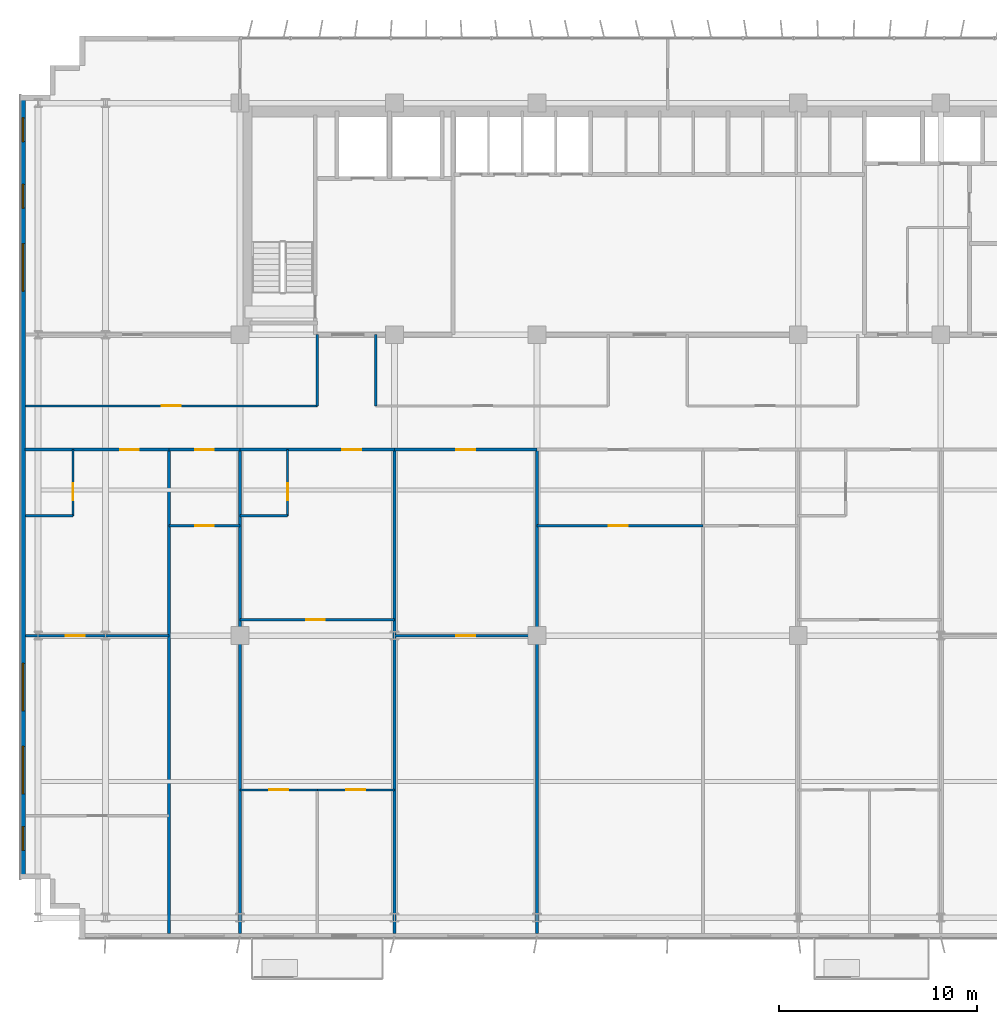
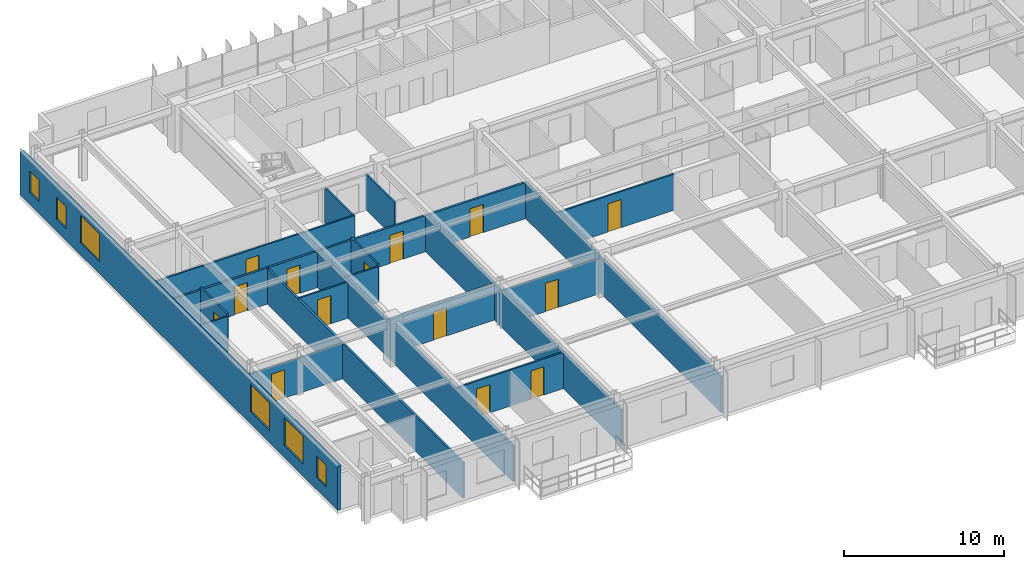
# One storey, part 15 of 22: 23 walls, 14 doors, 6 windows, 20 openings.
"""IFC4 building model written with IfcOpenShell, lengths in metres."""

from ifc_helpers import new_model, si_unit, direction, frame, frame_2d, origin, place, context, subcontext, project, spatial, rectangle, extrude, source, transform, mapped, material, layer, layer_set, type_object, element, fill, save


model = new_model("IFC4")

# Units and contexts
model_context = context("Model", 3, precision=1e-05, world=origin(), true_north=direction((0.0, 1.0)))
body_context = subcontext(model_context, "Body", "Model", "MODEL_VIEW")
ifc_project = project(units=[si_unit("LENGTHUNIT", "METRE"), si_unit("AREAUNIT", "SQUARE_METRE"), si_unit("VOLUMEUNIT", "CUBIC_METRE"), si_unit("PLANEANGLEUNIT", "RADIAN"), si_unit("MASSUNIT", "GRAM", prefix="KILO")], contexts=[model_context])

# Site, building, storey
site_placement = place(None, origin())
site = spatial("IfcSite", under=ifc_project, at=site_placement, CompositionType="ELEMENT")
building_placement = place(site_placement, origin())
building = spatial("IfcBuilding", under=site, at=building_placement, Name="Trelvane Seafront Commons", CompositionType="ELEMENT")
storey_placement = place(building_placement, frame((0.0, 0.0, 52.300048828125)))
storey = spatial("IfcBuildingStorey", under=building, at=storey_placement, Name="L13", CompositionType="ELEMENT", Elevation=52.300048828125)

# Wall, openings, windows
ifc_material_1 = material(Name="Precast concrete C40/50", Category="concrete")
ifc_layer_1 = layer(ifc_material_1, 0.260009765625, Name="ARCH-WALL-EXT260")
ifc_layer_set_1 = layer_set([ifc_layer_1], Name="Precast concrete C40/50")
wall_type_1 = type_object("IfcWallType", Name="ARCH-WALL-EXT260", PredefinedType="SOLIDWALL", material=ifc_layer_set_1)
wall_1_placement = place(storey_placement, frame((4.6298828125, 5.89990234375, 0.0), z_axis=(0.0, 0.0, 1.0), x_axis=(0.0, 1.0, 0.0)))
wall_1 = element("IfcWall", 1, at=wall_1_placement, inside=storey, type_object=wall_type_1, Name="EW-L13-00218", PredefinedType="SOLIDWALL", context=body_context, shape_type="SweptSolid", body=[
    extrude(rectangle(XDim=39.60009765625, YDim=0.260009765625, at=frame_2d((19.800048828125, 0.0))), origin(), (0.0, 0.0, 1.0), 3.33984375),
])
opening_1_placement = place(wall_1_placement, frame((1.449951171875, 0.0, 0.919921875)))
opening_1 = element("IfcOpeningElement", 2, at=opening_1_placement, cuts=wall_1, Name="Opening W05", PredefinedType="OPENING", context=body_context, shape_type="SweptSolid", body=[
    extrude(rectangle(XDim=1.199951171875, YDim=1.64990234375, at=frame_2d((0.60009765625, 0.824951171875))), frame((0.0, 0.139892578125, 0.0), z_axis=(0.0, -1.0, 0.0), x_axis=(1.0, 0.0, 0.0)), (0.0, 0.0, 1.0), 0.280029296875),
])
opening_2_placement = place(wall_1_placement, frame((4.300048828125, 0.0, 0.919921875)))
opening_2 = element("IfcOpeningElement", 3, at=opening_2_placement, cuts=wall_1, Name="Opening W08", PredefinedType="OPENING", context=body_context, shape_type="SweptSolid", body=[
    extrude(rectangle(XDim=2.39990234375, YDim=2.10009765625, at=frame_2d((1.199951171875, 1.050048828125))), frame((0.0, 0.139892578125, 0.0), z_axis=(0.0, -1.0, 0.0), x_axis=(1.0, 0.0, 0.0)), (0.0, 0.0, 1.0), 0.280029296875),
])
opening_3_placement = place(wall_1_placement, frame((8.5, 0.0, 0.919921875)))
opening_3 = element("IfcOpeningElement", 4, at=opening_3_placement, cuts=wall_1, Name="Opening W08", PredefinedType="OPENING", context=body_context, shape_type="SweptSolid", body=[
    extrude(rectangle(XDim=2.39990234375, YDim=2.10009765625, at=frame_2d((1.199951171875, 1.050048828125))), frame((0.0, 0.139892578125, 0.0), z_axis=(0.0, -1.0, 0.0), x_axis=(1.0, 0.0, 0.0)), (0.0, 0.0, 1.0), 0.280029296875),
])
opening_4_placement = place(wall_1_placement, frame((29.699951171875, 0.0, 0.919921875)))
opening_4 = element("IfcOpeningElement", 5, at=opening_4_placement, cuts=wall_1, Name="Opening W08", PredefinedType="OPENING", context=body_context, shape_type="SweptSolid", body=[
    extrude(rectangle(XDim=2.39990234375, YDim=2.10009765625, at=frame_2d((1.199951171875, 1.050048828125))), frame((0.0, 0.139892578125, 0.0), z_axis=(0.0, -1.0, 0.0), x_axis=(1.0, 0.0, 0.0)), (0.0, 0.0, 1.0), 0.280029296875),
])
opening_5_placement = place(wall_1_placement, frame((33.89990234375, 0.0, 0.919921875)))
opening_5 = element("IfcOpeningElement", 6, at=opening_5_placement, cuts=wall_1, Name="Opening W05", PredefinedType="OPENING", context=body_context, shape_type="SweptSolid", body=[
    extrude(rectangle(XDim=1.199951171875, YDim=1.64990234375, at=frame_2d((0.60009765625, 0.824951171875))), frame((0.0, 0.139892578125, 0.0), z_axis=(0.0, -1.0, 0.0), x_axis=(1.0, 0.0, 0.0)), (0.0, 0.0, 1.0), 0.280029296875),
])
opening_6_placement = place(wall_1_placement, frame((37.25, 0.0, 0.919921875)))
opening_6 = element("IfcOpeningElement", 7, at=opening_6_placement, cuts=wall_1, Name="Opening W05", PredefinedType="OPENING", context=body_context, shape_type="SweptSolid", body=[
    extrude(rectangle(XDim=1.199951171875, YDim=1.64990234375, at=frame_2d((0.60009765625, 0.824951171875))), frame((0.0, 0.139892578125, 0.0), z_axis=(0.0, -1.0, 0.0), x_axis=(1.0, 0.0, 0.0)), (0.0, 0.0, 1.0), 0.280029296875),
])
ifc_material_2 = material(Name="Low-E coastal double glazing", Category="glass")
window_type_1 = type_object("IfcWindowType", Name="ARCH-WIN-W08", PartitioningType="SINGLE_PANEL", PredefinedType="WINDOW", material=ifc_material_2)
shared_shape_1 = source(origin(), body_context, "Body", "SweptSolid", [
    extrude(rectangle(XDim=2.39990234375, YDim=2.10009765625, at=frame_2d((1.199951171875, 1.050048828125))), frame((0.0, 0.030029296875, 0.0), z_axis=(0.0, -1.0, 0.0), x_axis=(1.0, 0.0, 0.0)), (0.0, 0.0, 1.0), 0.06005859375),
])
window_1_placement = place(opening_2_placement, origin())
window_1 = element("IfcWindow", 8, at=window_1_placement, inside=storey, type_object=window_type_1, Name="WIN-L13-EW-00266", OverallHeight=2.10009765625, OverallWidth=2.39990234375, PartitioningType="SINGLE_PANEL", PredefinedType="WINDOW", context=body_context, shape_type="MappedRepresentation", body=[
    mapped(shared_shape_1, transform((0.0, 0.0, 0.0), x_axis=(1.0, 0.0, 0.0), y_axis=(0.0, 1.0, 0.0), z_axis=(0.0, 0.0, 1.0), scale=1.0)),
])
fill(opening_2, window_1)
window_2_placement = place(opening_3_placement, origin())
window_2 = element("IfcWindow", 9, at=window_2_placement, inside=storey, type_object=window_type_1, Name="WIN-L13-EW-00267", OverallHeight=2.10009765625, OverallWidth=2.39990234375, PartitioningType="SINGLE_PANEL", PredefinedType="WINDOW", context=body_context, shape_type="MappedRepresentation", body=[
    mapped(shared_shape_1, transform((0.0, 0.0, 0.0), x_axis=(1.0, 0.0, 0.0), y_axis=(0.0, 1.0, 0.0), z_axis=(0.0, 0.0, 1.0), scale=1.0)),
])
fill(opening_3, window_2)
window_3_placement = place(opening_4_placement, origin())
window_3 = element("IfcWindow", 10, at=window_3_placement, inside=storey, type_object=window_type_1, Name="WIN-L13-EW-00268", OverallHeight=2.10009765625, OverallWidth=2.39990234375, PartitioningType="SINGLE_PANEL", PredefinedType="WINDOW", context=body_context, shape_type="MappedRepresentation", body=[
    mapped(shared_shape_1, transform((0.0, 0.0, 0.0), x_axis=(1.0, 0.0, 0.0), y_axis=(0.0, 1.0, 0.0), z_axis=(0.0, 0.0, 1.0), scale=1.0)),
])
fill(opening_4, window_3)
window_type_2 = type_object("IfcWindowType", Name="ARCH-WIN-W05", PartitioningType="SINGLE_PANEL", PredefinedType="WINDOW", material=ifc_material_2)
shared_shape_2 = source(origin(), body_context, "Body", "SweptSolid", [
    extrude(rectangle(XDim=1.199951171875, YDim=1.64990234375, at=frame_2d((0.60009765625, 0.824951171875))), frame((0.0, 0.030029296875, 0.0), z_axis=(0.0, -1.0, 0.0), x_axis=(1.0, 0.0, 0.0)), (0.0, 0.0, 1.0), 0.06005859375),
])
window_4_placement = place(opening_1_placement, origin())
window_4 = element("IfcWindow", 11, at=window_4_placement, inside=storey, type_object=window_type_2, Name="WIN-L13-EW-00265", OverallHeight=1.64990234375, OverallWidth=1.199951171875, PartitioningType="SINGLE_PANEL", PredefinedType="WINDOW", context=body_context, shape_type="MappedRepresentation", body=[
    mapped(shared_shape_2, transform((0.0, 0.0, 0.0), x_axis=(1.0, 0.0, 0.0), y_axis=(0.0, 1.0, 0.0), z_axis=(0.0, 0.0, 1.0), scale=1.0)),
])
fill(opening_1, window_4)
window_5_placement = place(opening_5_placement, origin())
window_5 = element("IfcWindow", 12, at=window_5_placement, inside=storey, type_object=window_type_2, Name="WIN-L13-EW-00269", OverallHeight=1.64990234375, OverallWidth=1.199951171875, PartitioningType="SINGLE_PANEL", PredefinedType="WINDOW", context=body_context, shape_type="MappedRepresentation", body=[
    mapped(shared_shape_2, transform((0.0, 0.0, 0.0), x_axis=(1.0, 0.0, 0.0), y_axis=(0.0, 1.0, 0.0), z_axis=(0.0, 0.0, 1.0), scale=1.0)),
])
fill(opening_5, window_5)
window_6_placement = place(opening_6_placement, origin())
window_6 = element("IfcWindow", 13, at=window_6_placement, inside=storey, type_object=window_type_2, Name="WIN-L13-EW-00270", OverallHeight=1.64990234375, OverallWidth=1.199951171875, PartitioningType="SINGLE_PANEL", PredefinedType="WINDOW", context=body_context, shape_type="MappedRepresentation", body=[
    mapped(shared_shape_2, transform((0.0, 0.0, 0.0), x_axis=(1.0, 0.0, 0.0), y_axis=(0.0, 1.0, 0.0), z_axis=(0.0, 0.0, 1.0), scale=1.0)),
])
fill(opening_6, window_6)

# Wall, opening, door
ifc_material_3 = material(Name="Gypsum Drywall Acoustic Partition")
ifc_layer_2 = layer(ifc_material_3, 0.1201171875, Name="ARCH-WALL-PART120")
ifc_layer_set_2 = layer_set([ifc_layer_2], Name="Gypsum Drywall Acoustic Partition")
wall_type_2 = type_object("IfcWallType", Name="ARCH-WALL-PART120", PredefinedType="PARTITIONING", material=ifc_layer_set_2)
wall_2_placement = place(storey_placement, frame((4.75, 29.800048828125, 0.0), z_axis=(0.0, 0.0, 1.0), x_axis=(1.0, 0.0, 0.0)))
wall_2 = element("IfcWall", 14, at=wall_2_placement, inside=storey, type_object=wall_type_2, Name="W-L13-CORR-N-W-038", PredefinedType="PARTITIONING", context=body_context, shape_type="SweptSolid", body=[
    extrude(rectangle(XDim=14.75, YDim=0.1201171875, at=frame_2d((7.375, 0.0))), origin(), (0.0, 0.0, 1.0), 2.751953125),
])
opening_7_placement = place(wall_2_placement, frame((6.89990234375, 0.0, 0.0)))
opening_7 = element("IfcOpeningElement", 15, at=opening_7_placement, cuts=wall_2, Name="Opening D-L13-17", PredefinedType="OPENING", context=body_context, shape_type="SweptSolid", body=[
    extrude(rectangle(XDim=0.949951171875, YDim=2.14990234375, at=frame_2d((0.47509765625, 1.074951171875))), frame((0.0, 0.070068359375, 0.0), z_axis=(0.0, -1.0, 0.0), x_axis=(1.0, 0.0, 0.0)), (0.0, 0.0, 1.0), 0.14013671875),
])
ifc_material_4 = material(Name="Acoustic timber door leaf", Category="wood")
door_type_1 = type_object("IfcDoorType", Name="ARCH-DR-INT950", OperationType="NOTDEFINED", PredefinedType="DOOR", material=ifc_material_4)
shared_shape_3 = source(origin(), body_context, "Body", "SweptSolid", [
    extrude(rectangle(XDim=0.949951171875, YDim=2.14990234375, at=frame_2d((0.47509765625, 1.074951171875))), frame((0.0, 0.02490234375, 0.0), z_axis=(0.0, -1.0, 0.0), x_axis=(1.0, 0.0, 0.0)), (0.0, 0.0, 1.0), 0.050048828125),
])
door_1_placement = place(opening_7_placement, origin())
door_1 = element("IfcDoor", 16, at=door_1_placement, inside=storey, type_object=door_type_1, Name="L13 Door 17", OperationType="SINGLE_SWING_LEFT", OverallHeight=2.14990234375, OverallWidth=0.949951171875, PredefinedType="DOOR", context=body_context, shape_type="MappedRepresentation", body=[
    mapped(shared_shape_3, transform((0.0, 0.0, 0.0), x_axis=(1.0, 0.0, 0.0), y_axis=(0.0, 1.0, 0.0), z_axis=(0.0, 0.0, 1.0), scale=1.0)),
])
fill(opening_7, door_1)

# Walls
for number, where, z_axis, x_axis, name in (
    (17, (19.5, 29.800048828125, 0.0), (0.0, 0.0, 1.0), (0.0, 1.0, 0.0), "W-L13-N-SPUR-W1-043"),
    (18, (22.449951171875, 29.800048828125, 0.0), (0.0, 0.0, 1.0), (0.0, 1.0, 0.0), "W-L13-N-SPUR-W2-044"),
):
    element("IfcWall", number, at=place(storey_placement, frame(where, z_axis=z_axis, x_axis=x_axis)), inside=storey, type_object=wall_type_2, Name=name, PredefinedType="PARTITIONING", context=body_context, shape_type="SweptSolid", body=[
        extrude(rectangle(XDim=3.599853515625, YDim=0.1201171875, at=frame_2d((1.7998046875, 0.0))), origin(), (0.0, 0.0, 1.0), 2.68994140625),
    ])

# Wall, opening, door
wall_3_placement = place(storey_placement, frame((4.760009765625, 18.199951171875, 0.0), z_axis=(0.0, 0.0, 1.0), x_axis=(1.0, 0.0, 0.0)))
wall_3 = element("IfcWall", 19, at=wall_3_placement, inside=storey, type_object=wall_type_2, Name="W-L13-U1-KL-068", PredefinedType="PARTITIONING", context=body_context, shape_type="SweptSolid", body=[
    extrude(rectangle(XDim=7.239990234375, YDim=0.1201171875, at=frame_2d((3.6201171875, 0.0))), origin(), (0.0, 0.0, 1.0), 2.68994140625),
])
opening_8_placement = place(wall_3_placement, frame((2.0390625, 0.0, 0.0)))
opening_8 = element("IfcOpeningElement", 20, at=opening_8_placement, cuts=wall_3, Name="Opening D-L13-30", PredefinedType="OPENING", context=body_context, shape_type="SweptSolid", body=[
    extrude(rectangle(XDim=0.949951171875, YDim=2.14990234375, at=frame_2d((0.47509765625, 1.074951171875))), frame((0.0, 0.070068359375, 0.0), z_axis=(0.0, -1.0, 0.0), x_axis=(1.0, 0.0, 0.0)), (0.0, 0.0, 1.0), 0.14013671875),
])
door_2_placement = place(opening_8_placement, origin())
door_2 = element("IfcDoor", 21, at=door_2_placement, inside=storey, type_object=door_type_1, Name="L13 Door 30", OperationType="SINGLE_SWING_RIGHT", OverallHeight=2.14990234375, OverallWidth=0.949951171875, PredefinedType="DOOR", context=body_context, shape_type="MappedRepresentation", body=[
    mapped(shared_shape_3, transform((0.0, 0.0, 0.0), x_axis=(1.0, 0.0, 0.0), y_axis=(0.0, 1.0, 0.0), z_axis=(0.0, 0.0, 1.0), scale=1.0)),
])
fill(opening_8, door_2)

wall_4_placement = place(storey_placement, frame((7.159912109375, 24.25, 0.0), z_axis=(0.0, 0.0, 1.0), x_axis=(0.0, 1.0, 0.0)))
wall_4 = element("IfcWall", 22, at=wall_4_placement, inside=storey, type_object=wall_type_2, Name="W-L13-U1-BE-069", PredefinedType="PARTITIONING", context=body_context, shape_type="SweptSolid", body=[
    extrude(rectangle(XDim=3.35009765625, YDim=0.1201171875, at=frame_2d((1.675048828125, 0.0))), origin(), (0.0, 0.0, 1.0), 2.93994140625),
])
opening_9_placement = place(wall_4_placement, frame((0.800048828125, 0.0, 0.0)))
opening_9 = element("IfcOpeningElement", 23, at=opening_9_placement, cuts=wall_4, Name="Opening D-L13-31", PredefinedType="OPENING", context=body_context, shape_type="SweptSolid", body=[
    extrude(rectangle(XDim=0.85009765625, YDim=2.10009765625, at=frame_2d((0.425048828125, 1.050048828125))), frame((0.0, 0.070068359375, 0.0), z_axis=(0.0, -1.0, 0.0), x_axis=(1.0, 0.0, 0.0)), (0.0, 0.0, 1.0), 0.14013671875),
])
door_type_2 = type_object("IfcDoorType", Name="ARCH-DR-INT850", OperationType="NOTDEFINED", PredefinedType="DOOR", material=ifc_material_4)
shared_shape_4 = source(origin(), body_context, "Body", "SweptSolid", [
    extrude(rectangle(XDim=0.85009765625, YDim=2.10009765625, at=frame_2d((0.425048828125, 1.050048828125))), frame((0.0, 0.02490234375, 0.0), z_axis=(0.0, -1.0, 0.0), x_axis=(1.0, 0.0, 0.0)), (0.0, 0.0, 1.0), 0.050048828125),
])
door_3_placement = place(opening_9_placement, origin())
door_3 = element("IfcDoor", 24, at=door_3_placement, inside=storey, type_object=door_type_2, Name="L13 Door 31", OperationType="SINGLE_SWING_LEFT", OverallHeight=2.10009765625, OverallWidth=0.85009765625, PredefinedType="DOOR", context=body_context, shape_type="MappedRepresentation", body=[
    mapped(shared_shape_4, transform((0.0, 0.0, 0.0), x_axis=(1.0, 0.0, 0.0), y_axis=(0.0, 1.0, 0.0), z_axis=(0.0, 0.0, 1.0), scale=1.0)),
])
fill(opening_9, door_3)

# Wall
wall_5_placement = place(storey_placement, frame((4.760009765625, 24.25, 0.0), z_axis=(0.0, 0.0, 1.0), x_axis=(1.0, 0.0, 0.0)))
element("IfcWall", 25, at=wall_5_placement, inside=storey, type_object=wall_type_2, Name="W-L13-U1-BS-070", PredefinedType="PARTITIONING", context=body_context, shape_type="SweptSolid", body=[
    extrude(rectangle(XDim=2.39990234375, YDim=0.1201171875, at=frame_2d((1.199951171875, 0.0))), origin(), (0.0, 0.0, 1.0), 2.751953125),
])

# Wall, opening, door
wall_6_placement = place(storey_placement, frame((12.0, 23.75, 0.0), z_axis=(0.0, 0.0, 1.0), x_axis=(1.0, 0.0, 0.0)))
wall_6 = element("IfcWall", 26, at=wall_6_placement, inside=storey, type_object=wall_type_2, Name="W-L13-U2-DIV-074", PredefinedType="PARTITIONING", context=body_context, shape_type="SweptSolid", body=[
    extrude(rectangle(XDim=3.60009765625, YDim=0.1201171875, at=frame_2d((1.800048828125, 0.0))), origin(), (0.0, 0.0, 1.0), 2.751953125),
])
opening_10_placement = place(wall_6_placement, frame((1.324951171875, 0.0, 0.0)))
opening_10 = element("IfcOpeningElement", 27, at=opening_10_placement, cuts=wall_6, Name="Opening D-L13-35", PredefinedType="OPENING", context=body_context, shape_type="SweptSolid", body=[
    extrude(rectangle(XDim=0.949951171875, YDim=2.14990234375, at=frame_2d((0.47509765625, 1.074951171875))), frame((0.0, 0.070068359375, 0.0), z_axis=(0.0, -1.0, 0.0), x_axis=(1.0, 0.0, 0.0)), (0.0, 0.0, 1.0), 0.14013671875),
])
door_4_placement = place(opening_10_placement, origin())
door_4 = element("IfcDoor", 28, at=door_4_placement, inside=storey, type_object=door_type_1, Name="L13 Door 35", OperationType="SINGLE_SWING_LEFT", OverallHeight=2.14990234375, OverallWidth=0.949951171875, PredefinedType="DOOR", context=body_context, shape_type="MappedRepresentation", body=[
    mapped(shared_shape_3, transform((0.0, 0.0, 0.0), x_axis=(1.0, 0.0, 0.0), y_axis=(0.0, 1.0, 0.0), z_axis=(0.0, 0.0, 1.0), scale=1.0)),
])
fill(opening_10, door_4)

wall_7_placement = place(storey_placement, frame((15.60009765625, 19.0, 0.0), z_axis=(0.0, 0.0, 1.0), x_axis=(1.0, 0.0, 0.0)))
wall_7 = element("IfcWall", 29, at=wall_7_placement, inside=storey, type_object=wall_type_2, Name="W-L13-U3-KL-075", PredefinedType="PARTITIONING", context=body_context, shape_type="SweptSolid", body=[
    extrude(rectangle(XDim=7.7998046875, YDim=0.1201171875, at=frame_2d((3.89990234375, 0.0))), origin(), (0.0, 0.0, 1.0), 2.751953125),
])
opening_11_placement = place(wall_7_placement, frame((3.3330078125, 0.0, 0.0)))
opening_11 = element("IfcOpeningElement", 30, at=opening_11_placement, cuts=wall_7, Name="Opening D-L13-36", PredefinedType="OPENING", context=body_context, shape_type="SweptSolid", body=[
    extrude(rectangle(XDim=0.949951171875, YDim=2.14990234375, at=frame_2d((0.47509765625, 1.074951171875))), frame((0.0, 0.070068359375, 0.0), z_axis=(0.0, -1.0, 0.0), x_axis=(1.0, 0.0, 0.0)), (0.0, 0.0, 1.0), 0.14013671875),
])
door_5_placement = place(opening_11_placement, origin())
door_5 = element("IfcDoor", 31, at=door_5_placement, inside=storey, type_object=door_type_1, Name="L13 Door 36", OperationType="SINGLE_SWING_RIGHT", OverallHeight=2.14990234375, OverallWidth=0.949951171875, PredefinedType="DOOR", context=body_context, shape_type="MappedRepresentation", body=[
    mapped(shared_shape_3, transform((0.0, 0.0, 0.0), x_axis=(1.0, 0.0, 0.0), y_axis=(0.0, 1.0, 0.0), z_axis=(0.0, 0.0, 1.0), scale=1.0)),
])
fill(opening_11, door_5)

wall_8_placement = place(storey_placement, frame((18.0, 24.25, 0.0), z_axis=(0.0, 0.0, 1.0), x_axis=(0.0, 1.0, 0.0)))
wall_8 = element("IfcWall", 32, at=wall_8_placement, inside=storey, type_object=wall_type_2, Name="W-L13-U3-BE-076", PredefinedType="PARTITIONING", context=body_context, shape_type="SweptSolid", body=[
    extrude(rectangle(XDim=3.35009765625, YDim=0.1201171875, at=frame_2d((1.675048828125, 0.0))), origin(), (0.0, 0.0, 1.0), 2.93994140625),
])
opening_12_placement = place(wall_8_placement, frame((0.800048828125, 0.0, 0.0)))
opening_12 = element("IfcOpeningElement", 33, at=opening_12_placement, cuts=wall_8, Name="Opening D-L13-37", PredefinedType="OPENING", context=body_context, shape_type="SweptSolid", body=[
    extrude(rectangle(XDim=0.85009765625, YDim=2.10009765625, at=frame_2d((0.425048828125, 1.050048828125))), frame((0.0, 0.070068359375, 0.0), z_axis=(0.0, -1.0, 0.0), x_axis=(1.0, 0.0, 0.0)), (0.0, 0.0, 1.0), 0.14013671875),
])
door_6_placement = place(opening_12_placement, origin())
door_6 = element("IfcDoor", 34, at=door_6_placement, inside=storey, type_object=door_type_2, Name="L13 Door 37", OperationType="SINGLE_SWING_LEFT", OverallHeight=2.10009765625, OverallWidth=0.85009765625, PredefinedType="DOOR", context=body_context, shape_type="MappedRepresentation", body=[
    mapped(shared_shape_4, transform((0.0, 0.0, 0.0), x_axis=(1.0, 0.0, 0.0), y_axis=(0.0, 1.0, 0.0), z_axis=(0.0, 0.0, 1.0), scale=1.0)),
])
fill(opening_12, door_6)

# Wall
wall_9_placement = place(storey_placement, frame((15.60009765625, 24.25, 0.0), z_axis=(0.0, 0.0, 1.0), x_axis=(1.0, 0.0, 0.0)))
element("IfcWall", 35, at=wall_9_placement, inside=storey, type_object=wall_type_2, Name="W-L13-U3-BS-077", PredefinedType="PARTITIONING", context=body_context, shape_type="SweptSolid", body=[
    extrude(rectangle(XDim=2.39990234375, YDim=0.1201171875, at=frame_2d((1.199951171875, 0.0))), origin(), (0.0, 0.0, 1.0), 2.751953125),
])

# Wall, opening, door
wall_10_placement = place(storey_placement, frame((15.60009765625, 10.39990234375, 0.0), z_axis=(0.0, 0.0, 1.0), x_axis=(1.0, 0.0, 0.0)))
wall_10 = element("IfcWall", 36, at=wall_10_placement, inside=storey, type_object=wall_type_2, Name="W-L13-U3-YM-1-079", PredefinedType="PARTITIONING", context=body_context, shape_type="SweptSolid", body=[
    extrude(rectangle(XDim=3.89990234375, YDim=0.1201171875, at=frame_2d((1.949951171875, 0.0))), origin(), (0.0, 0.0, 1.0), 2.751953125),
])
opening_13_placement = place(wall_10_placement, frame((1.47509765625, 0.0, 0.0)))
opening_13 = element("IfcOpeningElement", 37, at=opening_13_placement, cuts=wall_10, Name="Opening D-L13-39", PredefinedType="OPENING", context=body_context, shape_type="SweptSolid", body=[
    extrude(rectangle(XDim=0.949951171875, YDim=2.14990234375, at=frame_2d((0.47509765625, 1.074951171875))), frame((0.0, 0.070068359375, 0.0), z_axis=(0.0, -1.0, 0.0), x_axis=(1.0, 0.0, 0.0)), (0.0, 0.0, 1.0), 0.14013671875),
])
door_7_placement = place(opening_13_placement, origin())
door_7 = element("IfcDoor", 38, at=door_7_placement, inside=storey, type_object=door_type_1, Name="L13 Door 39", OperationType="SINGLE_SWING_LEFT", OverallHeight=2.14990234375, OverallWidth=0.949951171875, PredefinedType="DOOR", context=body_context, shape_type="MappedRepresentation", body=[
    mapped(shared_shape_3, transform((0.0, 0.0, 0.0), x_axis=(1.0, 0.0, 0.0), y_axis=(0.0, 1.0, 0.0), z_axis=(0.0, 0.0, 1.0), scale=1.0)),
])
fill(opening_13, door_7)

wall_11_placement = place(storey_placement, frame((19.5, 10.39990234375, 0.0), z_axis=(0.0, 0.0, 1.0), x_axis=(1.0, 0.0, 0.0)))
wall_11 = element("IfcWall", 39, at=wall_11_placement, inside=storey, type_object=wall_type_2, Name="W-L13-U3-YM-2-080", PredefinedType="PARTITIONING", context=body_context, shape_type="SweptSolid", body=[
    extrude(rectangle(XDim=3.89990234375, YDim=0.1201171875, at=frame_2d((1.949951171875, 0.0))), origin(), (0.0, 0.0, 1.0), 2.751953125),
])
opening_14_placement = place(wall_11_placement, frame((1.47509765625, 0.0, 0.0)))
opening_14 = element("IfcOpeningElement", 40, at=opening_14_placement, cuts=wall_11, Name="Opening D-L13-40", PredefinedType="OPENING", context=body_context, shape_type="SweptSolid", body=[
    extrude(rectangle(XDim=0.949951171875, YDim=2.14990234375, at=frame_2d((0.47509765625, 1.074951171875))), frame((0.0, 0.070068359375, 0.0), z_axis=(0.0, -1.0, 0.0), x_axis=(1.0, 0.0, 0.0)), (0.0, 0.0, 1.0), 0.14013671875),
])
door_8_placement = place(opening_14_placement, origin())
door_8 = element("IfcDoor", 41, at=door_8_placement, inside=storey, type_object=door_type_1, Name="L13 Door 40", OperationType="SINGLE_SWING_RIGHT", OverallHeight=2.14990234375, OverallWidth=0.949951171875, PredefinedType="DOOR", context=body_context, shape_type="MappedRepresentation", body=[
    mapped(shared_shape_3, transform((0.0, 0.0, 0.0), x_axis=(1.0, 0.0, 0.0), y_axis=(0.0, 1.0, 0.0), z_axis=(0.0, 0.0, 1.0), scale=1.0)),
])
fill(opening_14, door_8)

wall_12_placement = place(storey_placement, frame((23.39990234375, 18.199951171875, 0.0), z_axis=(0.0, 0.0, 1.0), x_axis=(1.0, 0.0, 0.0)))
wall_12 = element("IfcWall", 42, at=wall_12_placement, inside=storey, type_object=wall_type_2, Name="W-L13-U4-DIV-083", PredefinedType="PARTITIONING", context=body_context, shape_type="SweptSolid", body=[
    extrude(rectangle(XDim=7.2001953125, YDim=0.1201171875, at=frame_2d((3.60009765625, 0.0))), origin(), (0.0, 0.0, 1.0), 2.68994140625),
])
opening_15_placement = place(wall_12_placement, frame((3.125, 0.0, 0.0)))
opening_15 = element("IfcOpeningElement", 43, at=opening_15_placement, cuts=wall_12, Name="Opening D-L13-42", PredefinedType="OPENING", context=body_context, shape_type="SweptSolid", body=[
    extrude(rectangle(XDim=0.949951171875, YDim=2.14990234375, at=frame_2d((0.47509765625, 1.074951171875))), frame((0.0, 0.070068359375, 0.0), z_axis=(0.0, -1.0, 0.0), x_axis=(1.0, 0.0, 0.0)), (0.0, 0.0, 1.0), 0.14013671875),
])
door_9_placement = place(opening_15_placement, origin())
door_9 = element("IfcDoor", 44, at=door_9_placement, inside=storey, type_object=door_type_1, Name="L13 Door 42", OperationType="SINGLE_SWING_RIGHT", OverallHeight=2.14990234375, OverallWidth=0.949951171875, PredefinedType="DOOR", context=body_context, shape_type="MappedRepresentation", body=[
    mapped(shared_shape_3, transform((0.0, 0.0, 0.0), x_axis=(1.0, 0.0, 0.0), y_axis=(0.0, 1.0, 0.0), z_axis=(0.0, 0.0, 1.0), scale=1.0)),
])
fill(opening_15, door_9)

wall_13_placement = place(storey_placement, frame((30.60009765625, 23.75, 0.0), z_axis=(0.0, 0.0, 1.0), x_axis=(1.0, 0.0, 0.0)))
wall_13 = element("IfcWall", 45, at=wall_13_placement, inside=storey, type_object=wall_type_2, Name="W-L13-U5-DIV-085", PredefinedType="PARTITIONING", context=body_context, shape_type="SweptSolid", body=[
    extrude(rectangle(XDim=8.39990234375, YDim=0.1201171875, at=frame_2d((4.199951171875, 0.0))), origin(), (0.0, 0.0, 1.0), 2.751953125),
])
opening_16_placement = place(wall_13_placement, frame((3.635009765625, 0.0, 0.0)))
opening_16 = element("IfcOpeningElement", 46, at=opening_16_placement, cuts=wall_13, Name="Opening D-L13-44", PredefinedType="OPENING", context=body_context, shape_type="SweptSolid", body=[
    extrude(rectangle(XDim=0.949951171875, YDim=2.14990234375, at=frame_2d((0.47509765625, 1.074951171875))), frame((0.0, 0.070068359375, 0.0), z_axis=(0.0, -1.0, 0.0), x_axis=(1.0, 0.0, 0.0)), (0.0, 0.0, 1.0), 0.14013671875),
])
door_10_placement = place(opening_16_placement, origin())
door_10 = element("IfcDoor", 47, at=door_10_placement, inside=storey, type_object=door_type_1, Name="L13 Door 44", OperationType="SINGLE_SWING_RIGHT", OverallHeight=2.14990234375, OverallWidth=0.949951171875, PredefinedType="DOOR", context=body_context, shape_type="MappedRepresentation", body=[
    mapped(shared_shape_3, transform((0.0, 0.0, 0.0), x_axis=(1.0, 0.0, 0.0), y_axis=(0.0, 1.0, 0.0), z_axis=(0.0, 0.0, 1.0), scale=1.0)),
])
fill(opening_16, door_10)

# Walls
ifc_layer_3 = layer(ifc_material_3, 0.14990234375, Name="ARCH-WALL-PART150")
ifc_layer_set_3 = layer_set([ifc_layer_3], Name="Gypsum Drywall Acoustic Partition")
wall_type_3 = type_object("IfcWallType", Name="ARCH-WALL-PART150", PredefinedType="PARTITIONING", material=ifc_layer_set_3)
wall_14_placement = place(storey_placement, frame((12.0, 3.14501953125, 0.0), z_axis=(0.0, 0.0, 1.0), x_axis=(0.0, 1.0, 0.0)))
element("IfcWall", 48, at=wall_14_placement, inside=storey, type_object=wall_type_3, Name="W-L13-PW-1-059", PredefinedType="PARTITIONING", context=body_context, shape_type="SweptSolid", body=[
    extrude(rectangle(XDim=24.455078125, YDim=0.14990234375, at=frame_2d((12.2275390625, 0.0))), origin(), (0.0, 0.0, 1.0), 2.68994140625),
])
for number, where, z_axis, x_axis, name in (
    (49, (15.60009765625, 3.14501953125, 0.0), (0.0, 0.0, 1.0), (0.0, 1.0, 0.0), "W-L13-PW-2-060"),
    (50, (23.39990234375, 3.14501953125, 0.0), (0.0, 0.0, 1.0), (0.0, 1.0, 0.0), "W-L13-PW-3-061"),
    (51, (30.60009765625, 3.14501953125, 0.0), (0.0, 0.0, 1.0), (0.0, 1.0, 0.0), "W-L13-PW-4-062"),
):
    element("IfcWall", number, at=place(storey_placement, frame(where, z_axis=z_axis, x_axis=x_axis)), inside=storey, type_object=wall_type_3, Name=name, PredefinedType="PARTITIONING", context=body_context, shape_type="SweptSolid", body=[
        extrude(rectangle(XDim=24.455078125, YDim=0.14990234375, at=frame_2d((12.2275390625, 0.0))), origin(), (0.0, 0.0, 1.0), 2.751953125),
    ])

# Wall, opening, door
wall_15_placement = place(storey_placement, frame((4.7451171875, 27.60009765625, 0.0), z_axis=(0.0, 0.0, 1.0), x_axis=(1.0, 0.0, 0.0)))
wall_15 = element("IfcWall", 52, at=wall_15_placement, inside=storey, type_object=wall_type_3, Name="W-L13-CS-BAY-1-071", PredefinedType="PARTITIONING", context=body_context, shape_type="SweptSolid", body=[
    extrude(rectangle(XDim=7.2548828125, YDim=0.14990234375, at=frame_2d((3.62744140625, 0.0))), origin(), (0.0, 0.0, 1.0), 2.751953125),
])
opening_17_placement = place(wall_15_placement, frame((4.799072265625, 0.0, 0.0)))
opening_17 = element("IfcOpeningElement", 53, at=opening_17_placement, cuts=wall_15, Name="Opening FD-L13-32", PredefinedType="OPENING", context=body_context, shape_type="SweptSolid", body=[
    extrude(rectangle(XDim=0.949951171875, YDim=2.14990234375, at=frame_2d((0.47509765625, 1.074951171875))), frame((0.0, 0.0849609375, 0.0), z_axis=(0.0, -1.0, 0.0), x_axis=(1.0, 0.0, 0.0)), (0.0, 0.0, 1.0), 0.169921875),
])
ifc_material_5 = material(Name="Powder-coated aluminium frame", Category="aluminium")
door_type_3 = type_object("IfcDoorType", Name="ARCH-DR-FD60-950", OperationType="NOTDEFINED", PredefinedType="DOOR", material=ifc_material_5)
door_11_placement = place(opening_17_placement, origin())
door_11 = element("IfcDoor", 54, at=door_11_placement, inside=storey, type_object=door_type_3, Name="L13 Unit 01 Entrance Door", OperationType="SINGLE_SWING_RIGHT", OverallHeight=2.14990234375, OverallWidth=0.949951171875, PredefinedType="DOOR", context=body_context, shape_type="MappedRepresentation", body=[
    mapped(shared_shape_3, transform((0.0, 0.0, 0.0), x_axis=(1.0, 0.0, 0.0), y_axis=(0.0, 1.0, 0.0), z_axis=(0.0, 0.0, 1.0), scale=1.0)),
])
fill(opening_17, door_11)

wall_16_placement = place(storey_placement, frame((12.0, 27.60009765625, 0.0), z_axis=(0.0, 0.0, 1.0), x_axis=(1.0, 0.0, 0.0)))
wall_16 = element("IfcWall", 55, at=wall_16_placement, inside=storey, type_object=wall_type_3, Name="W-L13-CS-BAY-2-073", PredefinedType="PARTITIONING", context=body_context, shape_type="SweptSolid", body=[
    extrude(rectangle(XDim=3.60009765625, YDim=0.14990234375, at=frame_2d((1.800048828125, 0.0))), origin(), (0.0, 0.0, 1.0), 2.751953125),
])
opening_18_placement = place(wall_16_placement, frame((1.324951171875, 0.0, 0.0)))
opening_18 = element("IfcOpeningElement", 56, at=opening_18_placement, cuts=wall_16, Name="Opening FD-L13-34", PredefinedType="OPENING", context=body_context, shape_type="SweptSolid", body=[
    extrude(rectangle(XDim=0.949951171875, YDim=2.14990234375, at=frame_2d((0.47509765625, 1.074951171875))), frame((0.0, 0.0849609375, 0.0), z_axis=(0.0, -1.0, 0.0), x_axis=(1.0, 0.0, 0.0)), (0.0, 0.0, 1.0), 0.169921875),
])
door_12_placement = place(opening_18_placement, origin())
door_12 = element("IfcDoor", 57, at=door_12_placement, inside=storey, type_object=door_type_3, Name="L13 Bay 02 Entrance Door", OperationType="SINGLE_SWING_RIGHT", OverallHeight=2.14990234375, OverallWidth=0.949951171875, PredefinedType="DOOR", context=body_context, shape_type="MappedRepresentation", body=[
    mapped(shared_shape_3, transform((0.0, 0.0, 0.0), x_axis=(1.0, 0.0, 0.0), y_axis=(0.0, 1.0, 0.0), z_axis=(0.0, 0.0, 1.0), scale=1.0)),
])
fill(opening_18, door_12)

wall_17_placement = place(storey_placement, frame((15.60009765625, 27.60009765625, 0.0), z_axis=(0.0, 0.0, 1.0), x_axis=(1.0, 0.0, 0.0)))
wall_17 = element("IfcWall", 58, at=wall_17_placement, inside=storey, type_object=wall_type_3, Name="W-L13-CS-BAY-3-078", PredefinedType="PARTITIONING", context=body_context, shape_type="SweptSolid", body=[
    extrude(rectangle(XDim=7.7998046875, YDim=0.14990234375, at=frame_2d((3.89990234375, 0.0))), origin(), (0.0, 0.0, 1.0), 2.751953125),
])
opening_19_placement = place(wall_17_placement, frame((5.172119140625, 0.0, 0.0)))
opening_19 = element("IfcOpeningElement", 59, at=opening_19_placement, cuts=wall_17, Name="Opening FD-L13-38", PredefinedType="OPENING", context=body_context, shape_type="SweptSolid", body=[
    extrude(rectangle(XDim=0.949951171875, YDim=2.14990234375, at=frame_2d((0.47509765625, 1.074951171875))), frame((0.0, 0.0849609375, 0.0), z_axis=(0.0, -1.0, 0.0), x_axis=(1.0, 0.0, 0.0)), (0.0, 0.0, 1.0), 0.169921875),
])
door_13_placement = place(opening_19_placement, origin())
door_13 = element("IfcDoor", 60, at=door_13_placement, inside=storey, type_object=door_type_3, Name="L13 Unit 03 Entrance Door", OperationType="SINGLE_SWING_RIGHT", OverallHeight=2.14990234375, OverallWidth=0.949951171875, PredefinedType="DOOR", context=body_context, shape_type="MappedRepresentation", body=[
    mapped(shared_shape_3, transform((0.0, 0.0, 0.0), x_axis=(1.0, 0.0, 0.0), y_axis=(0.0, 1.0, 0.0), z_axis=(0.0, 0.0, 1.0), scale=1.0)),
])
fill(opening_19, door_13)

wall_18_placement = place(storey_placement, frame((23.39990234375, 27.60009765625, 0.0), z_axis=(0.0, 0.0, 1.0), x_axis=(1.0, 0.0, 0.0)))
wall_18 = element("IfcWall", 61, at=wall_18_placement, inside=storey, type_object=wall_type_3, Name="W-L13-CS-BAY-4-082", PredefinedType="PARTITIONING", context=body_context, shape_type="SweptSolid", body=[
    extrude(rectangle(XDim=7.2001953125, YDim=0.14990234375, at=frame_2d((3.60009765625, 0.0))), origin(), (0.0, 0.0, 1.0), 2.751953125),
])
opening_20_placement = place(wall_18_placement, frame((3.125, 0.0, 0.0)))
opening_20 = element("IfcOpeningElement", 62, at=opening_20_placement, cuts=wall_18, Name="Opening FD-L13-41", PredefinedType="OPENING", context=body_context, shape_type="SweptSolid", body=[
    extrude(rectangle(XDim=0.949951171875, YDim=2.14990234375, at=frame_2d((0.47509765625, 1.074951171875))), frame((0.0, 0.0849609375, 0.0), z_axis=(0.0, -1.0, 0.0), x_axis=(1.0, 0.0, 0.0)), (0.0, 0.0, 1.0), 0.169921875),
])
door_14_placement = place(opening_20_placement, origin())
door_14 = element("IfcDoor", 63, at=door_14_placement, inside=storey, type_object=door_type_3, Name="L13 Bay 04 Entrance Door", OperationType="SINGLE_SWING_LEFT", OverallHeight=2.14990234375, OverallWidth=0.949951171875, PredefinedType="DOOR", context=body_context, shape_type="MappedRepresentation", body=[
    mapped(shared_shape_3, transform((0.0, 0.0, 0.0), x_axis=(1.0, 0.0, 0.0), y_axis=(0.0, 1.0, 0.0), z_axis=(0.0, 0.0, 1.0), scale=1.0)),
])
fill(opening_20, door_14)

save(model, "model.ifc")
